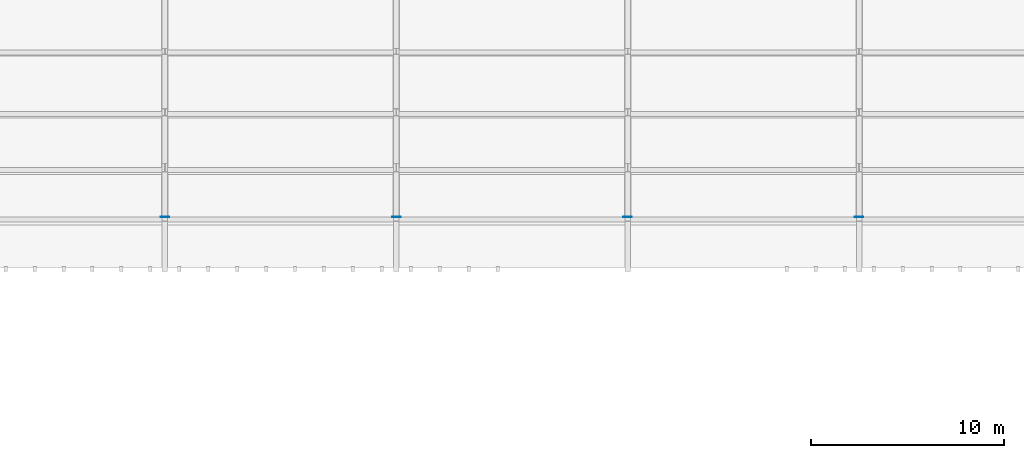
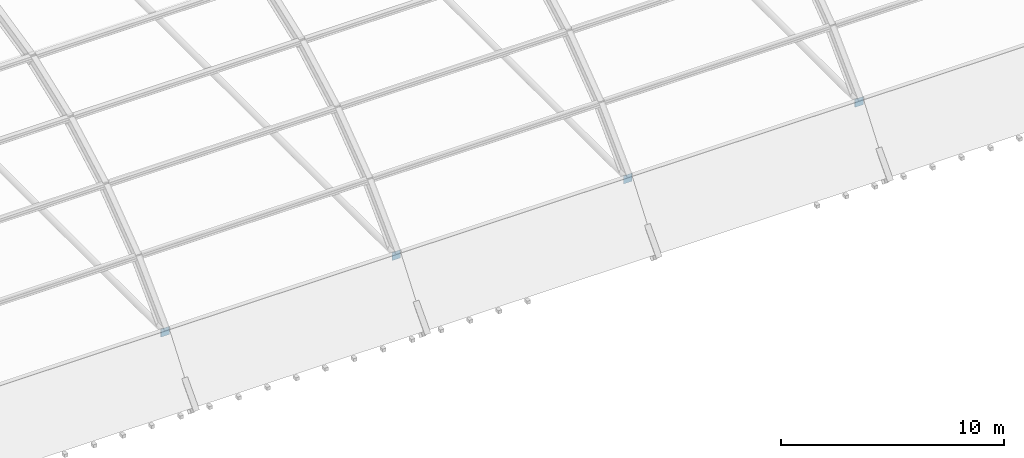
# One storey, part 11 of 35: 4 plates.
"""IFC4 building model written with IfcOpenShell, lengths in metres."""

from ifc_helpers import new_model, si_unit, direction, frame, origin, origin_2d, place, context, subcontext, project, spatial, rectangle, extrude, material, layer, layer_set, type_object, element, save


model = new_model("IFC4")

# Units and contexts
model_context = context("Model", 3, precision=1e-05, world=origin(), true_north=direction((0.0, 1.0)))
body_context = subcontext(model_context, "Body", "Model", "MODEL_VIEW")
ifc_project = project(units=[si_unit("LENGTHUNIT", "METRE"), si_unit("AREAUNIT", "SQUARE_METRE"), si_unit("VOLUMEUNIT", "CUBIC_METRE"), si_unit("PLANEANGLEUNIT", "RADIAN"), si_unit("MASSUNIT", "GRAM", prefix="KILO")], contexts=[model_context])

# Site, building, storey
site_placement = place(None, origin())
site = spatial("IfcSite", under=ifc_project, at=site_placement, CompositionType="ELEMENT")
building_placement = place(site_placement, origin())
building = spatial("IfcBuilding", under=site, at=building_placement, Name="Zlatogorsky Bluff Art Gallery", CompositionType="ELEMENT")
storey_placement = place(building_placement, frame((0.0, 0.0, 23.39990234375)))
storey = spatial("IfcBuildingStorey", under=building, at=storey_placement, Name="L04", CompositionType="ELEMENT", Elevation=23.39990234375)

# Plates
ifc_material = material(Name="Steel S355", Category="steel")
ifc_layer = layer(ifc_material, 0.43994140625)
ifc_layer_set = layer_set([ifc_layer], Name="Node Plate CP-03")
plate_type = type_object("IfcPlateType", Name="Node Plate CP-03", PredefinedType="USERDEFINED", material=ifc_layer_set)
for number, where, z_axis, x_axis, name in (
    (1, (48.0, 86.623779296875, 2.357177734375), (0.0, 0.0, 1.0), (1.0, 0.0, 0.0), "Vault tie south cap plate E"),
    (2, (60.0, 86.623779296875, 2.357177734375), (0.0, 0.0, 1.0), (1.0, 0.0, 0.0), "Vault tie south cap plate F"),
    (3, (72.0, 86.623779296875, 2.357177734375), (0.0, 0.0, 1.0), (1.0, 0.0, 0.0), "Vault tie south cap plate G"),
    (4, (84.0, 86.623779296875, 2.357177734375), (0.0, 0.0, 1.0), (1.0, 0.0, 0.0), "Vault tie south cap plate H"),
):
    element("IfcPlate", number, at=place(storey_placement, frame(where, z_axis=z_axis, x_axis=x_axis)), inside=storey, type_object=plate_type, Name=name, ObjectType="CAP PLATE", PredefinedType="USERDEFINED", context=body_context, shape_type="SweptSolid", body=[
        extrude(rectangle(XDim=0.43994140625, YDim=0.02587890625, at=origin_2d()), origin(), (0.0, 0.0, 1.0), 0.43994140625),
    ])

save(model, "model.ifc")
